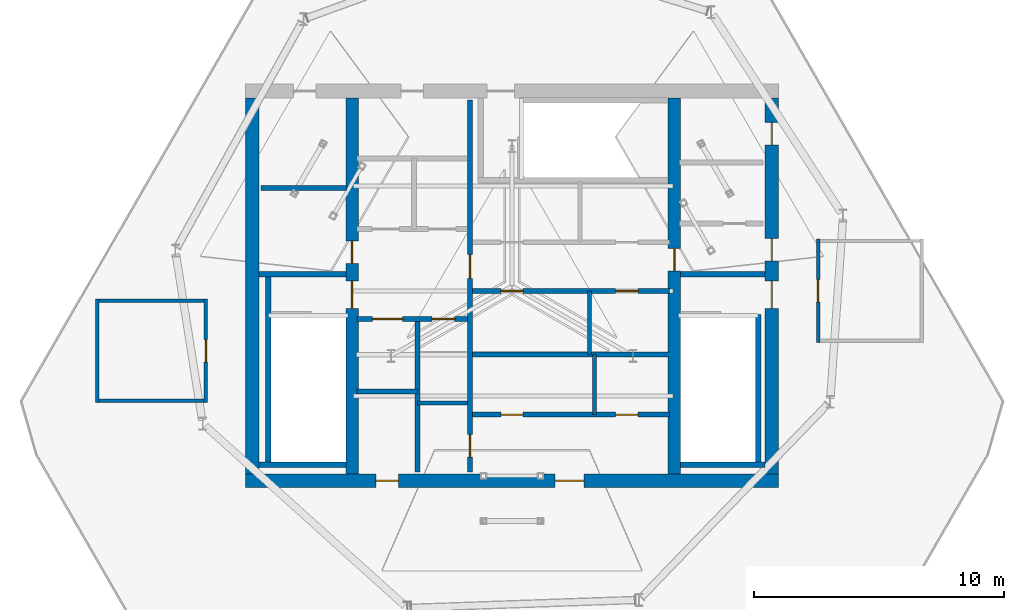
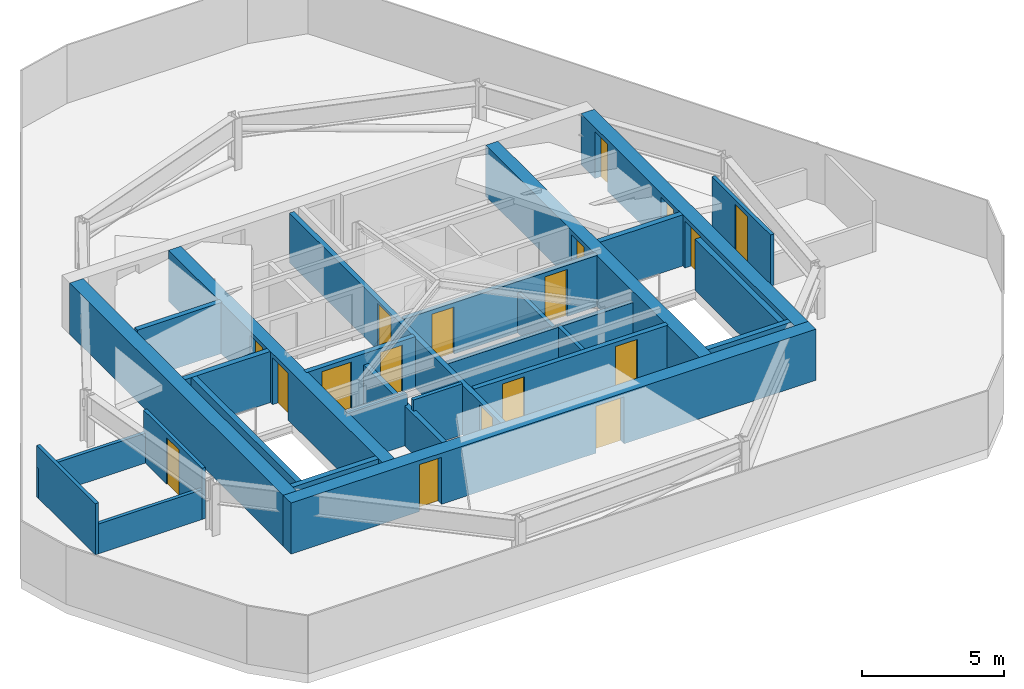
# One storey, part 7 of 9: 27 walls, 18 doors, 18 openings.
"""IFC4 building model written with IfcOpenShell, lengths in metres."""

import ifcopenshell
import ifcopenshell.guid

model = None  # the IFC model being written
_history = None  # IfcOwnerHistory: only IFC2X3 demands one
_inside = {}  # id of a spatial element -> (the spatial element, [elements in it])
_under = {}  # id of a project, library or spatial element -> (it, [spatial elements below it])
_declared = {}  # id of a project -> (the project, [libraries it declares])
_typed = {}  # id of a type object -> (the type object, [elements of that type])
_made_of = {}  # id of a material, layer set ... -> (it, [elements and type objects made of it])


def new_model(schema):
    """Start an empty IFC model of exactly this schema.

    Asked for "IFC4X3", IfcOpenShell would pick the latest addendum, in which some entities
    have other attributes; the version numbers below select the first issue.
    IFC2X3 requires an IfcOwnerHistory on every rooted entity: one is made here for all.
    """
    global model, _history
    if schema == "IFC4X3":
        model = ifcopenshell.file(schema_version=(4, 3, 0, 0))
    else:
        model = ifcopenshell.file(schema=schema)
    _inside.clear()
    _under.clear()
    _declared.clear()
    _typed.clear()
    _made_of.clear()
    _history = None
    if model.schema == "IFC2X3":
        org = make("IfcOrganization", Name="unknown")
        user = make(
            "IfcPersonAndOrganization",
            ThePerson=make("IfcPerson", FamilyName="unknown"),
            TheOrganization=org,
        )
        app = make(
            "IfcApplication",
            ApplicationDeveloper=org,
            Version="unknown",
            ApplicationFullName="unknown",
            ApplicationIdentifier="unknown",
        )
        _history = make(
            "IfcOwnerHistory",
            OwningUser=user,
            OwningApplication=app,
            ChangeAction="ADDED",
            CreationDate=0,
        )
    return model


def make(cls, **values):
    """One entity of the class cls with the attributes given. An attribute that is None is left unset."""
    return model.create_entity(
        cls, **{name: value for name, value in values.items() if value is not None}
    )


def rooted(cls, **values):
    """An entity with a GlobalId (a new one), such as an element, a storey or a relation."""
    return make(cls, GlobalId=ifcopenshell.guid.new(), OwnerHistory=_history, **values)


def si_unit(unit_type, name, prefix=None):
    """IfcSIUnit, for example si_unit("LENGTHUNIT", "METRE", prefix="MILLI")."""
    return make("IfcSIUnit", UnitType=unit_type, Prefix=prefix, Name=name)


def assignment(units):
    """IfcUnitAssignment: the units of a project."""
    return None if units is None else make("IfcUnitAssignment", Units=units)


def point(xyz):
    """IfcCartesianPoint."""
    return None if xyz is None else make("IfcCartesianPoint", Coordinates=xyz)


def direction(xyz):
    """IfcDirection."""
    return None if xyz is None else make("IfcDirection", DirectionRatios=xyz)


def frame(location, z_axis=None, x_axis=None):
    """IfcAxis2Placement3D, a coordinate frame: its origin and axes. An axis left out is left unset."""
    return make(
        "IfcAxis2Placement3D",
        Location=point(location),
        Axis=direction(z_axis),
        RefDirection=direction(x_axis),
    )


def frame_2d(location, x_axis=None):
    """IfcAxis2Placement2D, a coordinate frame in the plane: its origin and x axis."""
    return make(
        "IfcAxis2Placement2D", Location=point(location), RefDirection=direction(x_axis)
    )


def origin():
    """The frame at (0, 0, 0) with its axes left unset."""
    return frame((0.0, 0.0, 0.0))


def place(relative_to, where):
    """IfcLocalPlacement: puts the frame where relative to a parent placement (None: the world)."""
    return make(
        "IfcLocalPlacement", PlacementRelTo=relative_to, RelativePlacement=where
    )


def context(
    kind, dimensions, precision=None, world=None, true_north=None, identifier=None
):
    """IfcGeometricRepresentationContext, for example the 3D "Model" context."""
    return make(
        "IfcGeometricRepresentationContext",
        ContextIdentifier=identifier,
        ContextType=kind,
        CoordinateSpaceDimension=dimensions,
        Precision=precision,
        WorldCoordinateSystem=world,
        TrueNorth=true_north,
    )


def subcontext(parent, identifier, kind, view, scale=None):
    """IfcGeometricRepresentationSubContext, for example "Body" below "Model"."""
    return make(
        "IfcGeometricRepresentationSubContext",
        ContextIdentifier=identifier,
        ContextType=kind,
        ParentContext=parent,
        TargetScale=scale,
        TargetView=view,
    )


def project(units=None, contexts=None):
    """IfcProject with its units and contexts."""
    return rooted(
        "IfcProject",
        Name="project",
        RepresentationContexts=contexts,
        UnitsInContext=assignment(units),
    )


def spatial(cls, under=None, at=None, **own):
    """A site, building, storey or space (cls), placed at a placement, below another one or the project."""
    s = rooted(cls, ObjectPlacement=at, **own)
    if under is not None:
        _under.setdefault(under.id(), (under, []))[1].append(s)
    return s


def profile(cls, at=None, kind="AREA", **sizes):
    """A parametric profile (cls). Its sizes go by their IFC names, for example OverallWidth=200.0."""
    return make(cls, ProfileType=kind, Position=at, **sizes)


def rectangle(**sizes):
    """IfcRectangleProfileDef."""
    return profile("IfcRectangleProfileDef", **sizes)


def extrude(swept, where, along, depth):
    """IfcExtrudedAreaSolid: the profile swept, set in the frame where, extruded along a direction by depth."""
    return make(
        "IfcExtrudedAreaSolid",
        SweptArea=swept,
        Position=where,
        ExtrudedDirection=direction(along),
        Depth=depth,
    )


def shape(context_of_items, identifier, shape_type, items):
    """IfcShapeRepresentation: the items that make up one representation, for example the "Body"."""
    return make(
        "IfcShapeRepresentation",
        ContextOfItems=context_of_items,
        RepresentationIdentifier=identifier,
        RepresentationType=shape_type,
        Items=items,
    )


def material(Name=None, Category=None):
    """IfcMaterial."""
    return make("IfcMaterial", Name=Name, Category=Category)


def layer(
    of_material, thickness, ventilated=None, Name=None, Category=None, Priority=None
):
    """IfcMaterialLayer: one layer of a wall or slab, of a material (None: an air gap)."""
    return make(
        "IfcMaterialLayer",
        Material=of_material,
        LayerThickness=thickness,
        IsVentilated=ventilated,
        Name=Name,
        Category=Category,
        Priority=Priority,
    )


def layer_set(layers, Name=None):
    """IfcMaterialLayerSet."""
    return make("IfcMaterialLayerSet", MaterialLayers=layers, LayerSetName=Name)


def made_of(thing, what):
    """Note that an element or type object is made of a material, layer set ...; save() writes the relation."""
    if what is not None:
        _made_of.setdefault(what.id(), (what, []))[1].append(thing)
    return thing


def type_object(cls, material=None, **own):
    """A type object (cls), such as IfcWallType, which elements share."""
    return made_of(rooted(cls, **own), material)


def element(
    cls,
    number,
    at=None,
    inside=None,
    cuts=None,
    type_object=None,
    material=None,
    context=None,
    identifier="Body",
    shape_type=None,
    held_by="IfcProductDefinitionShape",
    body=None,
    shapes=None,
    **own,
):
    """One element of the class cls, such as IfcWall. Its Tag is "e" and its number.

    at: its placement. inside: the storey or other place that contains it. cuts: it is an
    opening in that element (IfcRelVoidsElement). A single representation is given by context,
    identifier, shape_type and body (its items); several are given by shapes. held_by: the class
    of the entity that holds the representations. save() writes the other relations.
    """
    e = rooted(cls, Tag="e%d" % number, ObjectPlacement=at, **own)
    if body is not None:
        shapes = [shape(context, identifier, shape_type, body)]
    if shapes is not None:
        e.Representation = make(held_by, Representations=shapes)
    if inside is not None:
        _inside.setdefault(inside.id(), (inside, []))[1].append(e)
    if cuts is not None:
        rooted(
            "IfcRelVoidsElement", RelatingBuildingElement=cuts, RelatedOpeningElement=e
        )
    if type_object is not None:
        _typed.setdefault(type_object.id(), (type_object, []))[1].append(e)
    return made_of(e, material)


def fill(opening, filler):
    """IfcRelFillsElement: the door or window that sits in an opening."""
    return rooted(
        "IfcRelFillsElement",
        RelatingOpeningElement=opening,
        RelatedBuildingElement=filler,
    )


def aggregate(whole, parts):
    """IfcRelAggregates: a whole, such as a stair, and the parts it consists of."""
    return rooted("IfcRelAggregates", RelatingObject=whole, RelatedObjects=parts)


def save(model, path):
    """Write the relations noted so far, then the file.

    IfcRelAggregates (storeys below a building ...), IfcRelContainedInSpatialStructure (elements
    in a storey), IfcRelDefinesByType, IfcRelAssociatesMaterial and IfcRelDeclares: one each for
    every whole, place, type object, material and project.
    """
    for whole, parts in _under.values():
        aggregate(whole, parts)
    for where, things in _inside.values():
        rooted(
            "IfcRelContainedInSpatialStructure",
            RelatedElements=things,
            RelatingStructure=where,
        )
    for kind, things in _typed.values():
        rooted("IfcRelDefinesByType", RelatedObjects=things, RelatingType=kind)
    for what, things in _made_of.values():
        rooted("IfcRelAssociatesMaterial", RelatedObjects=things, RelatingMaterial=what)
    for by, libraries in _declared.values():
        rooted("IfcRelDeclares", RelatingContext=by, RelatedDefinitions=libraries)
    model.write(path)


model = new_model("IFC4")

# Units and contexts
model_context = context("Model", 3, precision=1e-05, world=origin(), true_north=direction((0.0, 1.0)))
body_context = subcontext(model_context, "Body", "Model", "MODEL_VIEW")
ifc_project = project(units=[si_unit("LENGTHUNIT", "METRE"), si_unit("AREAUNIT", "SQUARE_METRE"), si_unit("VOLUMEUNIT", "CUBIC_METRE"), si_unit("PLANEANGLEUNIT", "RADIAN"), si_unit("MASSUNIT", "GRAM", prefix="KILO")], contexts=[model_context])

# Site, building, storey
site_placement = place(None, origin())
site = spatial("IfcSite", under=ifc_project, at=site_placement, CompositionType="ELEMENT")
building_placement = place(site_placement, origin())
building = spatial("IfcBuilding", under=site, at=building_placement, Name="Qarnah Convention Tower", CompositionType="ELEMENT")
storey_placement = place(building_placement, frame((0.0, 0.0, 292.89990234375)))
storey = spatial("IfcBuildingStorey", under=building, at=storey_placement, Name="L79", CompositionType="ELEMENT", Elevation=292.89990234375)

# Wall, openings, doors
ifc_material_1 = material(Name="Concrete C60/75", Category="concrete")
ifc_layer_1 = layer(ifc_material_1, 0.550048828125)
ifc_layer_set_1 = layer_set([ifc_layer_1], Name="Concrete C60/75")
wall_type_1 = type_object("IfcWallType", Name="WL-CORE-550", PredefinedType="SHEAR", material=ifc_layer_set_1)
wall_1_placement = place(storey_placement, frame((26.52490234375, 18.60009765625, 0.0), z_axis=(0.0, 0.0, 1.0), x_axis=(1.0, 0.0, 0.0)))
wall_1 = element("IfcWall", 1, at=wall_1_placement, inside=storey, type_object=wall_type_1, Name="L79 core south shear wall", PredefinedType="SHEAR", context=body_context, shape_type="SweptSolid", body=[
    extrude(rectangle(XDim=21.35009765625, YDim=0.550048828125, at=frame_2d((10.675048828125, 0.0))), origin(), (0.0, 0.0, 1.0), 2.2001953125),
])
opening_1_placement = place(wall_1_placement, frame((12.39990234375, 0.0, 0.0)))
opening_1 = element("IfcOpeningElement", 2, at=opening_1_placement, cuts=wall_1, Name="Opening D-7907", PredefinedType="OPENING", context=body_context, shape_type="SweptSolid", body=[
    extrude(rectangle(XDim=1.14990234375, YDim=2.02001953125, at=frame_2d((0.574951171875, 1.010009765625))), frame((0.0, 0.284912109375, 0.0), z_axis=(0.0, -1.0, 0.0), x_axis=(1.0, 0.0, 0.0)), (0.0, 0.0, 1.0), 0.570068359375),
])
opening_2_placement = place(wall_1_placement, frame((5.22509765625, 0.0, 0.0)))
opening_2 = element("IfcOpeningElement", 3, at=opening_2_placement, cuts=wall_1, Name="Opening D-7913", PredefinedType="OPENING", context=body_context, shape_type="SweptSolid", body=[
    extrude(rectangle(XDim=0.89990234375, YDim=2.02001953125, at=frame_2d((0.449951171875, 1.010009765625))), frame((0.0, 0.284912109375, 0.0), z_axis=(0.0, -1.0, 0.0), x_axis=(1.0, 0.0, 0.0)), (0.0, 0.0, 1.0), 0.570068359375),
])
ifc_material_2 = material(Name="Structural steel S355JR", Category="steel")
door_type_1 = type_object("IfcDoorType", Name="DT-LOBBY-1150", OperationType="NOTDEFINED", PredefinedType="DOOR", material=ifc_material_2)
door_1_placement = place(opening_1_placement, origin())
door_1 = element("IfcDoor", 4, at=door_1_placement, inside=storey, type_object=door_type_1, Name="Door D-7907", OperationType="SINGLE_SWING_LEFT", OverallHeight=2.02001953125, OverallWidth=1.14990234375, PredefinedType="DOOR", context=body_context, shape_type="SweptSolid", body=[
    extrude(rectangle(XDim=1.14990234375, YDim=2.02001953125, at=frame_2d((0.574951171875, 1.010009765625))), frame((0.0, 0.02490234375, 0.0), z_axis=(0.0, -1.0, 0.0), x_axis=(1.0, 0.0, 0.0)), (0.0, 0.0, 1.0), 0.050048828125),
])
fill(opening_1, door_1)
door_type_2 = type_object("IfcDoorType", Name="DT-RISER-900", OperationType="NOTDEFINED", PredefinedType="DOOR", material=ifc_material_2)
door_2_placement = place(opening_2_placement, origin())
door_2 = element("IfcDoor", 5, at=door_2_placement, inside=storey, type_object=door_type_2, Name="Door D-7913", OperationType="SINGLE_SWING_LEFT", OverallHeight=2.02001953125, OverallWidth=0.89990234375, PredefinedType="DOOR", context=body_context, shape_type="SweptSolid", body=[
    extrude(rectangle(XDim=0.89990234375, YDim=2.02001953125, at=frame_2d((0.449951171875, 1.010009765625))), frame((0.0, 0.02490234375, 0.0), z_axis=(0.0, -1.0, 0.0), x_axis=(1.0, 0.0, 0.0)), (0.0, 0.0, 1.0), 0.050048828125),
])
fill(opening_2, door_2)

# Wall
wall_2_placement = place(storey_placement, frame((26.800048828125, 18.875, 0.0), z_axis=(0.0, 0.0, 1.0), x_axis=(0.0, 1.0, 0.0)))
element("IfcWall", 6, at=wall_2_placement, inside=storey, type_object=wall_type_1, Name="L79 core west shear wall", PredefinedType="SHEAR", context=body_context, shape_type="SweptSolid", body=[
    extrude(rectangle(XDim=15.050048828125, YDim=0.550048828125, at=frame_2d((7.52490234375, 0.0))), origin(), (0.0, 0.0, 1.0), 2.2001953125),
])

# Wall, openings, doors
wall_3_placement = place(storey_placement, frame((47.60009765625, 18.875, 0.0), z_axis=(0.0, 0.0, 1.0), x_axis=(0.0, 1.0, 0.0)))
wall_3 = element("IfcWall", 7, at=wall_3_placement, inside=storey, type_object=wall_type_1, Name="L79 core east shear wall", PredefinedType="SHEAR", context=body_context, shape_type="SweptSolid", body=[
    extrude(rectangle(XDim=15.050048828125, YDim=0.550048828125, at=frame_2d((7.52490234375, 0.0))), origin(), (0.0, 0.0, 1.0), 2.2001953125),
])
opening_3_placement = place(wall_3_placement, frame((6.625, 0.0, 0.0)))
opening_3 = element("IfcOpeningElement", 8, at=opening_3_placement, cuts=wall_3, Name="Opening D-7902", PredefinedType="OPENING", context=body_context, shape_type="SweptSolid", body=[
    extrude(rectangle(XDim=1.10009765625, YDim=2.02001953125, at=frame_2d((0.550048828125, 1.010009765625))), frame((0.0, 0.284912109375, 0.0), z_axis=(0.0, -1.0, 0.0), x_axis=(1.0, 0.0, 0.0)), (0.0, 0.0, 1.0), 0.570068359375),
])
opening_4_placement = place(wall_3_placement, frame((8.52490234375, 0.0, 0.0)))
opening_4 = element("IfcOpeningElement", 9, at=opening_4_placement, cuts=wall_3, Name="Opening D-7906", PredefinedType="OPENING", context=body_context, shape_type="SweptSolid", body=[
    extrude(rectangle(XDim=0.89990234375, YDim=2.02001953125, at=frame_2d((0.449951171875, 1.010009765625))), frame((0.0, 0.284912109375, 0.0), z_axis=(0.0, -1.0, 0.0), x_axis=(1.0, 0.0, 0.0)), (0.0, 0.0, 1.0), 0.570068359375),
])
opening_5_placement = place(wall_3_placement, frame((13.175048828125, 0.0, 0.0)))
opening_5 = element("IfcOpeningElement", 10, at=opening_5_placement, cuts=wall_3, Name="Opening D-7912", PredefinedType="OPENING", context=body_context, shape_type="SweptSolid", body=[
    extrude(rectangle(XDim=0.89990234375, YDim=2.02001953125, at=frame_2d((0.449951171875, 1.010009765625))), frame((0.0, 0.284912109375, 0.0), z_axis=(0.0, -1.0, 0.0), x_axis=(1.0, 0.0, 0.0)), (0.0, 0.0, 1.0), 0.570068359375),
])
door_3_placement = place(opening_4_placement, origin())
door_3 = element("IfcDoor", 11, at=door_3_placement, inside=storey, type_object=door_type_2, Name="Door D-7906", OperationType="SINGLE_SWING_RIGHT", OverallHeight=2.02001953125, OverallWidth=0.89990234375, PredefinedType="DOOR", context=body_context, shape_type="SweptSolid", body=[
    extrude(rectangle(XDim=0.89990234375, YDim=2.02001953125, at=frame_2d((0.449951171875, 1.010009765625))), frame((0.0, 0.02490234375, 0.0), z_axis=(0.0, -1.0, 0.0), x_axis=(1.0, 0.0, 0.0)), (0.0, 0.0, 1.0), 0.050048828125),
])
fill(opening_4, door_3)
door_4_placement = place(opening_5_placement, origin())
door_4 = element("IfcDoor", 12, at=door_4_placement, inside=storey, type_object=door_type_2, Name="Door D-7912", OperationType="SINGLE_SWING_RIGHT", OverallHeight=2.02001953125, OverallWidth=0.89990234375, PredefinedType="DOOR", context=body_context, shape_type="SweptSolid", body=[
    extrude(rectangle(XDim=0.89990234375, YDim=2.02001953125, at=frame_2d((0.449951171875, 1.010009765625))), frame((0.0, 0.02490234375, 0.0), z_axis=(0.0, -1.0, 0.0), x_axis=(1.0, 0.0, 0.0)), (0.0, 0.0, 1.0), 0.050048828125),
])
fill(opening_5, door_4)
door_type_3 = type_object("IfcDoorType", Name="DT-STAIR-1100", OperationType="NOTDEFINED", PredefinedType="DOOR", material=ifc_material_2)
door_5_placement = place(opening_3_placement, origin())
door_5 = element("IfcDoor", 13, at=door_5_placement, inside=storey, type_object=door_type_3, Name="Door D-7902", OperationType="SINGLE_SWING_RIGHT", OverallHeight=2.02001953125, OverallWidth=1.10009765625, PredefinedType="DOOR", context=body_context, shape_type="SweptSolid", body=[
    extrude(rectangle(XDim=1.10009765625, YDim=2.02001953125, at=frame_2d((0.550048828125, 1.010009765625))), frame((0.0, 0.02490234375, 0.0), z_axis=(0.0, -1.0, 0.0), x_axis=(1.0, 0.0, 0.0)), (0.0, 0.0, 1.0), 0.050048828125),
])
fill(opening_3, door_5)

ifc_layer_2 = layer(ifc_material_1, 0.5)
ifc_layer_set_2 = layer_set([ifc_layer_2], Name="Concrete C60/75")
wall_type_2 = type_object("IfcWallType", Name="WL-CORE-INT-400", PredefinedType="SHEAR", material=ifc_layer_set_2)
wall_4_placement = place(storey_placement, frame((30.800048828125, 18.875, 0.0), z_axis=(0.0, 0.0, 1.0), x_axis=(0.0, 1.0, 0.0)))
wall_4 = element("IfcWall", 14, at=wall_4_placement, inside=storey, type_object=wall_type_2, Name="L79 core west spine shear wall", PredefinedType="SHEAR", context=body_context, shape_type="SweptSolid", body=[
    extrude(rectangle(XDim=15.050048828125, YDim=0.5, at=frame_2d((7.52490234375, 0.0))), origin(), (0.0, 0.0, 1.0), 2.2001953125),
])
opening_6_placement = place(wall_4_placement, frame((6.625, 0.0, 0.0)))
opening_6 = element("IfcOpeningElement", 15, at=opening_6_placement, cuts=wall_4, Name="Opening D-7901", PredefinedType="OPENING", context=body_context, shape_type="SweptSolid", body=[
    extrude(rectangle(XDim=1.10009765625, YDim=2.02001953125, at=frame_2d((0.550048828125, 1.010009765625))), frame((0.0, 0.260009765625, 0.0), z_axis=(0.0, -1.0, 0.0), x_axis=(1.0, 0.0, 0.0)), (0.0, 0.0, 1.0), 0.52001953125),
])
opening_7_placement = place(wall_4_placement, frame((8.425048828125, 0.0, 0.0)))
opening_7 = element("IfcOpeningElement", 16, at=opening_7_placement, cuts=wall_4, Name="Opening D-7908", PredefinedType="OPENING", context=body_context, shape_type="SweptSolid", body=[
    extrude(rectangle(XDim=0.89990234375, YDim=2.02001953125, at=frame_2d((0.449951171875, 1.010009765625))), frame((0.0, 0.260009765625, 0.0), z_axis=(0.0, -1.0, 0.0), x_axis=(1.0, 0.0, 0.0)), (0.0, 0.0, 1.0), 0.52001953125),
])
door_6_placement = place(opening_7_placement, origin())
door_6 = element("IfcDoor", 17, at=door_6_placement, inside=storey, type_object=door_type_2, Name="Door D-7908", OperationType="SINGLE_SWING_RIGHT", OverallHeight=2.02001953125, OverallWidth=0.89990234375, PredefinedType="DOOR", context=body_context, shape_type="SweptSolid", body=[
    extrude(rectangle(XDim=0.89990234375, YDim=2.02001953125, at=frame_2d((0.449951171875, 1.010009765625))), frame((0.0, 0.02490234375, 0.0), z_axis=(0.0, -1.0, 0.0), x_axis=(1.0, 0.0, 0.0)), (0.0, 0.0, 1.0), 0.050048828125),
])
fill(opening_7, door_6)
door_7_placement = place(opening_6_placement, origin())
door_7 = element("IfcDoor", 18, at=door_7_placement, inside=storey, type_object=door_type_3, Name="Door D-7901", OperationType="SINGLE_SWING_LEFT", OverallHeight=2.02001953125, OverallWidth=1.10009765625, PredefinedType="DOOR", context=body_context, shape_type="SweptSolid", body=[
    extrude(rectangle(XDim=1.10009765625, YDim=2.02001953125, at=frame_2d((0.550048828125, 1.010009765625))), frame((0.0, 0.02490234375, 0.0), z_axis=(0.0, -1.0, 0.0), x_axis=(1.0, 0.0, 0.0)), (0.0, 0.0, 1.0), 0.050048828125),
])
fill(opening_6, door_7)

# Wall, opening, door
wall_5_placement = place(storey_placement, frame((43.699951171875, 18.875, 0.0), z_axis=(0.0, 0.0, 1.0), x_axis=(0.0, 1.0, 0.0)))
wall_5 = element("IfcWall", 19, at=wall_5_placement, inside=storey, type_object=wall_type_2, Name="L79 core east spine shear wall", PredefinedType="SHEAR", context=body_context, shape_type="SweptSolid", body=[
    extrude(rectangle(XDim=15.050048828125, YDim=0.5, at=frame_2d((7.52490234375, 0.0))), origin(), (0.0, 0.0, 1.0), 2.2001953125),
])
opening_8_placement = place(wall_5_placement, frame((8.125, 0.0, 0.0)))
opening_8 = element("IfcOpeningElement", 20, at=opening_8_placement, cuts=wall_5, Name="Opening D-7905", PredefinedType="OPENING", context=body_context, shape_type="SweptSolid", body=[
    extrude(rectangle(XDim=0.89990234375, YDim=2.02001953125, at=frame_2d((0.449951171875, 1.010009765625))), frame((0.0, 0.260009765625, 0.0), z_axis=(0.0, -1.0, 0.0), x_axis=(1.0, 0.0, 0.0)), (0.0, 0.0, 1.0), 0.52001953125),
])
door_8_placement = place(opening_8_placement, origin())
door_8 = element("IfcDoor", 21, at=door_8_placement, inside=storey, type_object=door_type_2, Name="Door D-7905", OperationType="SINGLE_SWING_LEFT", OverallHeight=2.02001953125, OverallWidth=0.89990234375, PredefinedType="DOOR", context=body_context, shape_type="SweptSolid", body=[
    extrude(rectangle(XDim=0.89990234375, YDim=2.02001953125, at=frame_2d((0.449951171875, 1.010009765625))), frame((0.0, 0.02490234375, 0.0), z_axis=(0.0, -1.0, 0.0), x_axis=(1.0, 0.0, 0.0)), (0.0, 0.0, 1.0), 0.050048828125),
])
fill(opening_8, door_8)

# Wall
ifc_material_3 = material(Name="Concrete C45/55", Category="concrete")
ifc_layer_3 = layer(ifc_material_3, 0.199951171875)
ifc_layer_set_3 = layer_set([ifc_layer_3], Name="Concrete C45/55")
wall_type_3 = type_object("IfcWallType", Name="WL-CORE-PART-200", PredefinedType="SOLIDWALL", material=ifc_layer_set_3)
wall_6_placement = place(storey_placement, frame((27.14990234375, 30.320068359375, 0.0), z_axis=(0.0, 0.0, 1.0), x_axis=(1.0, 0.0, 0.0)))
element("IfcWall", 22, at=wall_6_placement, inside=storey, type_object=wall_type_3, Name="L79 interior wall IW-L79-ELRN", PredefinedType="SOLIDWALL", context=body_context, shape_type="SweptSolid", body=[
    extrude(rectangle(XDim=3.4501953125, YDim=0.199951171875, at=frame_2d((1.72509765625, 0.0))), origin(), (0.0, 0.0, 1.0), 2.2001953125),
])

# Wall, openings, doors
wall_7_placement = place(storey_placement, frame((35.52001953125, 18.949951171875, 0.0), z_axis=(0.0, 0.0, 1.0), x_axis=(0.0, 1.0, 0.0)))
wall_7 = element("IfcWall", 23, at=wall_7_placement, inside=storey, type_object=wall_type_3, Name="L79 interior wall IW-L79-CSP", PredefinedType="SOLIDWALL", context=body_context, shape_type="SweptSolid", body=[
    extrude(rectangle(XDim=14.900146484375, YDim=0.199951171875, at=frame_2d((7.4501953125, 0.0))), origin(), (0.0, 0.0, 1.0), 2.14013671875),
])
opening_9_placement = place(wall_7_placement, frame((7.7548828125, 0.0, 0.0)))
opening_9 = element("IfcOpeningElement", 24, at=opening_9_placement, cuts=wall_7, Name="Opening D-7904", PredefinedType="OPENING", context=body_context, shape_type="SweptSolid", body=[
    extrude(rectangle(XDim=0.949951171875, YDim=2.02001953125, at=frame_2d((0.47509765625, 1.010009765625))), frame((0.0, 0.10986328125, 0.0), z_axis=(0.0, -1.0, 0.0), x_axis=(1.0, 0.0, 0.0)), (0.0, 0.0, 1.0), 0.219970703125),
])
opening_10_placement = place(wall_7_placement, frame((0.60009765625, 0.0, 0.0)))
opening_10 = element("IfcOpeningElement", 25, at=opening_10_placement, cuts=wall_7, Name="Opening D-7914", PredefinedType="OPENING", context=body_context, shape_type="SweptSolid", body=[
    extrude(rectangle(XDim=0.89990234375, YDim=2.02001953125, at=frame_2d((0.449951171875, 1.010009765625))), frame((0.0, 0.10986328125, 0.0), z_axis=(0.0, -1.0, 0.0), x_axis=(1.0, 0.0, 0.0)), (0.0, 0.0, 1.0), 0.219970703125),
])
ifc_material_4 = material(Name="Oak timber veneer", Category="wood")
door_type_4 = type_object("IfcDoorType", Name="DT-HOTEL-950", OperationType="NOTDEFINED", PredefinedType="DOOR", material=ifc_material_4)
door_9_placement = place(opening_9_placement, origin())
door_9 = element("IfcDoor", 26, at=door_9_placement, inside=storey, type_object=door_type_4, Name="Door D-7904", OperationType="SINGLE_SWING_RIGHT", OverallHeight=2.02001953125, OverallWidth=0.949951171875, PredefinedType="DOOR", context=body_context, shape_type="SweptSolid", body=[
    extrude(rectangle(XDim=0.949951171875, YDim=2.02001953125, at=frame_2d((0.47509765625, 1.010009765625))), frame((0.0, 0.02490234375, 0.0), z_axis=(0.0, -1.0, 0.0), x_axis=(1.0, 0.0, 0.0)), (0.0, 0.0, 1.0), 0.050048828125),
])
fill(opening_9, door_9)
door_10_placement = place(opening_10_placement, origin())
door_10 = element("IfcDoor", 27, at=door_10_placement, inside=storey, type_object=door_type_2, Name="Door D-7914", OperationType="SINGLE_SWING_RIGHT", OverallHeight=2.02001953125, OverallWidth=0.89990234375, PredefinedType="DOOR", context=body_context, shape_type="SweptSolid", body=[
    extrude(rectangle(XDim=0.89990234375, YDim=2.02001953125, at=frame_2d((0.449951171875, 1.010009765625))), frame((0.0, 0.02490234375, 0.0), z_axis=(0.0, -1.0, 0.0), x_axis=(1.0, 0.0, 0.0)), (0.0, 0.0, 1.0), 0.050048828125),
])
fill(opening_10, door_10)

wall_8_placement = place(storey_placement, frame((31.0, 25.080078125, 0.0), z_axis=(0.0, 0.0, 1.0), x_axis=(1.0, 0.0, 0.0)))
wall_8 = element("IfcWall", 28, at=wall_8_placement, inside=storey, type_object=wall_type_3, Name="L79 interior wall IW-L79-FFLBS", PredefinedType="SOLIDWALL", context=body_context, shape_type="SweptSolid", body=[
    extrude(rectangle(XDim=4.419921875, YDim=0.199951171875, at=frame_2d((2.2099609375, 0.0))), origin(), (0.0, 0.0, 1.0), 2.2001953125),
])
opening_11_placement = place(wall_8_placement, frame((3.0, 0.0, 0.0)))
opening_11 = element("IfcOpeningElement", 29, at=opening_11_placement, cuts=wall_8, Name="Opening D-7915", PredefinedType="OPENING", context=body_context, shape_type="SweptSolid", body=[
    extrude(rectangle(XDim=0.89990234375, YDim=2.02001953125, at=frame_2d((0.449951171875, 1.010009765625))), frame((0.0, 0.10986328125, 0.0), z_axis=(0.0, -1.0, 0.0), x_axis=(1.0, 0.0, 0.0)), (0.0, 0.0, 1.0), 0.219970703125),
])
opening_12_placement = place(wall_8_placement, frame((0.6201171875, 0.0, 0.0)))
opening_12 = element("IfcOpeningElement", 30, at=opening_12_placement, cuts=wall_8, Name="Opening LD-7903", PredefinedType="OPENING", context=body_context, shape_type="SweptSolid", body=[
    extrude(rectangle(XDim=1.199951171875, YDim=2.02001953125, at=frame_2d((0.60009765625, 1.010009765625))), frame((0.0, 0.10986328125, 0.0), z_axis=(0.0, -1.0, 0.0), x_axis=(1.0, 0.0, 0.0)), (0.0, 0.0, 1.0), 0.219970703125),
])
door_type_5 = type_object("IfcDoorType", Name="DT-LIFT-1200", OperationType="SLIDING_TO_LEFT", PredefinedType="DOOR", material=ifc_material_2)
door_11_placement = place(opening_12_placement, origin())
door_11 = element("IfcDoor", 31, at=door_11_placement, inside=storey, type_object=door_type_5, Name="Door LD-7903", OperationType="SLIDING_TO_LEFT", OverallHeight=2.02001953125, OverallWidth=1.199951171875, PredefinedType="DOOR", context=body_context, shape_type="SweptSolid", body=[
    extrude(rectangle(XDim=1.199951171875, YDim=2.02001953125, at=frame_2d((0.60009765625, 1.010009765625))), frame((0.0, 0.02490234375, 0.0), z_axis=(0.0, -1.0, 0.0), x_axis=(1.0, 0.0, 0.0)), (0.0, 0.0, 1.0), 0.050048828125),
])
fill(opening_12, door_11)
door_12_placement = place(opening_11_placement, origin())
door_12 = element("IfcDoor", 32, at=door_12_placement, inside=storey, type_object=door_type_2, Name="Door D-7915", OperationType="SINGLE_SWING_LEFT", OverallHeight=2.02001953125, OverallWidth=0.89990234375, PredefinedType="DOOR", context=body_context, shape_type="SweptSolid", body=[
    extrude(rectangle(XDim=0.89990234375, YDim=2.02001953125, at=frame_2d((0.449951171875, 1.010009765625))), frame((0.0, 0.02490234375, 0.0), z_axis=(0.0, -1.0, 0.0), x_axis=(1.0, 0.0, 0.0)), (0.0, 0.0, 1.0), 0.050048828125),
])
fill(opening_11, door_12)

# Walls
wall_9_placement = place(storey_placement, frame((33.419921875, 18.949951171875, 0.0), z_axis=(0.0, 0.0, 1.0), x_axis=(0.0, 1.0, 0.0)))
element("IfcWall", 33, at=wall_9_placement, inside=storey, type_object=wall_type_3, Name="L79 interior wall IW-L79-SVLE", PredefinedType="SOLIDWALL", context=body_context, shape_type="SweptSolid", body=[
    extrude(rectangle(XDim=6.130126953125, YDim=0.199951171875, at=frame_2d((3.06494140625, 0.0))), origin(), (0.0, 0.0, 1.0), 1.72119140625),
])
wall_10_placement = place(storey_placement, frame((31.0, 22.179931640625, 0.0), z_axis=(0.0, 0.0, 1.0), x_axis=(1.0, 0.0, 0.0)))
element("IfcWall", 34, at=wall_10_placement, inside=storey, type_object=wall_type_3, Name="L79 interior wall IW-L79-SVLS", PredefinedType="SOLIDWALL", context=body_context, shape_type="SweptSolid", body=[
    extrude(rectangle(XDim=2.419921875, YDim=0.199951171875, at=frame_2d((1.2099609375, 0.0))), origin(), (0.0, 0.0, 1.0), 2.2001953125),
])

# Wall, openings, doors
wall_11_placement = place(storey_placement, frame((35.6201171875, 26.199951171875, 0.0), z_axis=(0.0, 0.0, 1.0), x_axis=(1.0, 0.0, 0.0)))
wall_11 = element("IfcWall", 35, at=wall_11_placement, inside=storey, type_object=wall_type_3, Name="L79 interior wall IW-L79-PMN", PredefinedType="SOLIDWALL", context=body_context, shape_type="SweptSolid", body=[
    extrude(rectangle(XDim=7.8798828125, YDim=0.199951171875, at=frame_2d((3.93994140625, 0.0))), origin(), (0.0, 0.0, 1.0), 2.2001953125),
])
opening_13_placement = place(wall_11_placement, frame((1.1298828125, 0.0, 0.0)))
opening_13 = element("IfcOpeningElement", 36, at=opening_13_placement, cuts=wall_11, Name="Opening D-7918", PredefinedType="OPENING", context=body_context, shape_type="SweptSolid", body=[
    extrude(rectangle(XDim=0.89990234375, YDim=2.02001953125, at=frame_2d((0.449951171875, 1.010009765625))), frame((0.0, 0.10986328125, 0.0), z_axis=(0.0, -1.0, 0.0), x_axis=(1.0, 0.0, 0.0)), (0.0, 0.0, 1.0), 0.219970703125),
])
opening_14_placement = place(wall_11_placement, frame((5.72998046875, 0.0, 0.0)))
opening_14 = element("IfcOpeningElement", 37, at=opening_14_placement, cuts=wall_11, Name="Opening D-7919", PredefinedType="OPENING", context=body_context, shape_type="SweptSolid", body=[
    extrude(rectangle(XDim=0.89990234375, YDim=2.02001953125, at=frame_2d((0.449951171875, 1.010009765625))), frame((0.0, 0.10986328125, 0.0), z_axis=(0.0, -1.0, 0.0), x_axis=(1.0, 0.0, 0.0)), (0.0, 0.0, 1.0), 0.219970703125),
])
door_13_placement = place(opening_13_placement, origin())
door_13 = element("IfcDoor", 38, at=door_13_placement, inside=storey, type_object=door_type_2, Name="Door D-7918", OperationType="SINGLE_SWING_RIGHT", OverallHeight=2.02001953125, OverallWidth=0.89990234375, PredefinedType="DOOR", context=body_context, shape_type="SweptSolid", body=[
    extrude(rectangle(XDim=0.89990234375, YDim=2.02001953125, at=frame_2d((0.449951171875, 1.010009765625))), frame((0.0, 0.02490234375, 0.0), z_axis=(0.0, -1.0, 0.0), x_axis=(1.0, 0.0, 0.0)), (0.0, 0.0, 1.0), 0.050048828125),
])
fill(opening_13, door_13)
door_14_placement = place(opening_14_placement, origin())
door_14 = element("IfcDoor", 39, at=door_14_placement, inside=storey, type_object=door_type_2, Name="Door D-7919", OperationType="SINGLE_SWING_LEFT", OverallHeight=2.02001953125, OverallWidth=0.89990234375, PredefinedType="DOOR", context=body_context, shape_type="SweptSolid", body=[
    extrude(rectangle(XDim=0.89990234375, YDim=2.02001953125, at=frame_2d((0.449951171875, 1.010009765625))), frame((0.0, 0.02490234375, 0.0), z_axis=(0.0, -1.0, 0.0), x_axis=(1.0, 0.0, 0.0)), (0.0, 0.0, 1.0), 0.050048828125),
])
fill(opening_14, door_14)

# Wall
wall_12_placement = place(storey_placement, frame((35.6201171875, 23.64990234375, 0.0), z_axis=(0.0, 0.0, 1.0), x_axis=(1.0, 0.0, 0.0)))
element("IfcWall", 40, at=wall_12_placement, inside=storey, type_object=wall_type_3, Name="L79 interior wall IW-L79-PMPL", PredefinedType="SOLIDWALL", context=body_context, shape_type="SweptSolid", body=[
    extrude(rectangle(XDim=7.8798828125, YDim=0.199951171875, at=frame_2d((3.93994140625, 0.0))), origin(), (0.0, 0.0, 1.0), 1.72119140625),
])

# Wall, openings, doors
wall_13_placement = place(storey_placement, frame((35.6201171875, 21.25, 0.0), z_axis=(0.0, 0.0, 1.0), x_axis=(1.0, 0.0, 0.0)))
wall_13 = element("IfcWall", 41, at=wall_13_placement, inside=storey, type_object=wall_type_3, Name="L79 interior wall IW-L79-PLS", PredefinedType="SOLIDWALL", context=body_context, shape_type="SweptSolid", body=[
    extrude(rectangle(XDim=7.8798828125, YDim=0.199951171875, at=frame_2d((3.93994140625, 0.0))), origin(), (0.0, 0.0, 1.0), 2.2001953125),
])
opening_15_placement = place(wall_13_placement, frame((1.1298828125, 0.0, 0.0)))
opening_15 = element("IfcOpeningElement", 42, at=opening_15_placement, cuts=wall_13, Name="Opening D-7916", PredefinedType="OPENING", context=body_context, shape_type="SweptSolid", body=[
    extrude(rectangle(XDim=0.89990234375, YDim=2.02001953125, at=frame_2d((0.449951171875, 1.010009765625))), frame((0.0, 0.10986328125, 0.0), z_axis=(0.0, -1.0, 0.0), x_axis=(1.0, 0.0, 0.0)), (0.0, 0.0, 1.0), 0.219970703125),
])
opening_16_placement = place(wall_13_placement, frame((5.72998046875, 0.0, 0.0)))
opening_16 = element("IfcOpeningElement", 43, at=opening_16_placement, cuts=wall_13, Name="Opening D-7917", PredefinedType="OPENING", context=body_context, shape_type="SweptSolid", body=[
    extrude(rectangle(XDim=0.89990234375, YDim=2.02001953125, at=frame_2d((0.449951171875, 1.010009765625))), frame((0.0, 0.10986328125, 0.0), z_axis=(0.0, -1.0, 0.0), x_axis=(1.0, 0.0, 0.0)), (0.0, 0.0, 1.0), 0.219970703125),
])
door_15_placement = place(opening_15_placement, origin())
door_15 = element("IfcDoor", 44, at=door_15_placement, inside=storey, type_object=door_type_2, Name="Door D-7916", OperationType="SINGLE_SWING_RIGHT", OverallHeight=2.02001953125, OverallWidth=0.89990234375, PredefinedType="DOOR", context=body_context, shape_type="SweptSolid", body=[
    extrude(rectangle(XDim=0.89990234375, YDim=2.02001953125, at=frame_2d((0.449951171875, 1.010009765625))), frame((0.0, 0.02490234375, 0.0), z_axis=(0.0, -1.0, 0.0), x_axis=(1.0, 0.0, 0.0)), (0.0, 0.0, 1.0), 0.050048828125),
])
fill(opening_15, door_15)
door_16_placement = place(opening_16_placement, origin())
door_16 = element("IfcDoor", 45, at=door_16_placement, inside=storey, type_object=door_type_2, Name="Door D-7917", OperationType="SINGLE_SWING_LEFT", OverallHeight=2.02001953125, OverallWidth=0.89990234375, PredefinedType="DOOR", context=body_context, shape_type="SweptSolid", body=[
    extrude(rectangle(XDim=0.89990234375, YDim=2.02001953125, at=frame_2d((0.449951171875, 1.010009765625))), frame((0.0, 0.02490234375, 0.0), z_axis=(0.0, -1.0, 0.0), x_axis=(1.0, 0.0, 0.0)), (0.0, 0.0, 1.0), 0.050048828125),
])
fill(opening_16, door_16)

# Walls
ifc_layer_4 = layer(ifc_material_1, 0.219970703125)
ifc_layer_set_4 = layer_set([ifc_layer_4], Name="Concrete C60/75")
wall_type_4 = type_object("IfcWallType", Name="WL-CORE-STAIR-220", PredefinedType="SHEAR", material=ifc_layer_set_4)
wall_14_placement = place(storey_placement, frame((27.074951171875, 26.860107421875, 0.0), z_axis=(0.0, 0.0, 1.0), x_axis=(1.0, 0.0, 0.0)))
element("IfcWall", 46, at=wall_14_placement, inside=storey, type_object=wall_type_4, Name="L79 stair shaft shear wall SW-L79-ST1N", PredefinedType="SHEAR", context=body_context, shape_type="SweptSolid", body=[
    extrude(rectangle(XDim=3.47509765625, YDim=0.219970703125, at=frame_2d((1.737548828125, 0.0))), origin(), (0.0, 0.0, 1.0), 2.2001953125),
])
wall_15_placement = place(storey_placement, frame((27.43994140625, 19.35009765625, 0.0), z_axis=(0.0, 0.0, 1.0), x_axis=(0.0, 1.0, 0.0)))
element("IfcWall", 47, at=wall_15_placement, inside=storey, type_object=wall_type_4, Name="L79 stair shaft shear wall SW-L79-ST1W", PredefinedType="SHEAR", context=body_context, shape_type="SweptSolid", body=[
    extrude(rectangle(XDim=7.39990234375, YDim=0.219970703125, at=frame_2d((3.699951171875, 0.0))), origin(), (0.0, 0.0, 1.0), 2.2001953125),
])
wall_16_placement = place(storey_placement, frame((27.074951171875, 19.239990234375, 0.0), z_axis=(0.0, 0.0, 1.0), x_axis=(1.0, 0.0, 0.0)))
element("IfcWall", 48, at=wall_16_placement, inside=storey, type_object=wall_type_4, Name="L79 stair shaft shear wall SW-L79-ST1S", PredefinedType="SHEAR", context=body_context, shape_type="SweptSolid", body=[
    extrude(rectangle(XDim=3.47509765625, YDim=0.219970703125, at=frame_2d((1.737548828125, 0.0))), origin(), (0.0, 0.0, 1.0), 2.2001953125),
])
wall_17_placement = place(storey_placement, frame((43.949951171875, 26.860107421875, 0.0), z_axis=(0.0, 0.0, 1.0), x_axis=(1.0, 0.0, 0.0)))
element("IfcWall", 49, at=wall_17_placement, inside=storey, type_object=wall_type_4, Name="L79 stair shaft shear wall SW-L79-ST2N", PredefinedType="SHEAR", context=body_context, shape_type="SweptSolid", body=[
    extrude(rectangle(XDim=3.375, YDim=0.219970703125, at=frame_2d((1.6875, 0.0))), origin(), (0.0, 0.0, 1.0), 2.2001953125),
])
wall_18_placement = place(storey_placement, frame((47.06005859375, 19.35009765625, 0.0), z_axis=(0.0, 0.0, 1.0), x_axis=(0.0, 1.0, 0.0)))
element("IfcWall", 50, at=wall_18_placement, inside=storey, type_object=wall_type_4, Name="L79 stair shaft shear wall SW-L79-ST2E", PredefinedType="SHEAR", context=body_context, shape_type="SweptSolid", body=[
    extrude(rectangle(XDim=5.89990234375, YDim=0.219970703125, at=frame_2d((2.949951171875, 0.0))), origin(), (0.0, 0.0, 1.0), 2.2001953125),
])
wall_19_placement = place(storey_placement, frame((43.949951171875, 19.239990234375, 0.0), z_axis=(0.0, 0.0, 1.0), x_axis=(1.0, 0.0, 0.0)))
element("IfcWall", 51, at=wall_19_placement, inside=storey, type_object=wall_type_4, Name="L79 stair shaft shear wall SW-L79-ST2S", PredefinedType="SHEAR", context=body_context, shape_type="SweptSolid", body=[
    extrude(rectangle(XDim=3.375, YDim=0.219970703125, at=frame_2d((1.6875, 0.0))), origin(), (0.0, 0.0, 1.0), 2.2001953125),
])
ifc_material_5 = material(Name="Gypsum partition board")
ifc_layer_5 = layer(ifc_material_5, 0.14990234375)
ifc_layer_set_5 = layer_set([ifc_layer_5], Name="Gypsum partition board")
wall_type_5 = type_object("IfcWallType", Name="WL-SUITE-150", PredefinedType="PARTITIONING", material=ifc_layer_set_5)
wall_20_placement = place(storey_placement, frame((33.419921875, 21.719970703125, 0.0), z_axis=(0.0, 0.0, 1.0), x_axis=(1.0, 0.0, 0.0)))
element("IfcWall", 52, at=wall_20_placement, inside=storey, type_object=wall_type_5, Name="L79 interior wall IW-L79-CSV1", PredefinedType="PARTITIONING", context=body_context, shape_type="SweptSolid", body=[
    extrude(rectangle(XDim=2.0, YDim=0.14990234375, at=frame_2d((1.0, 0.0))), origin(), (0.0, 0.0, 1.0), 2.2001953125),
])
wall_21_placement = place(storey_placement, frame((40.300048828125, 23.64990234375, 0.0), z_axis=(0.0, 0.0, 1.0), x_axis=(0.0, 1.0, 0.0)))
element("IfcWall", 53, at=wall_21_placement, inside=storey, type_object=wall_type_5, Name="L79 interior wall IW-L79-PMFD", PredefinedType="PARTITIONING", context=body_context, shape_type="SweptSolid", body=[
    extrude(rectangle(XDim=2.550048828125, YDim=0.14990234375, at=frame_2d((1.27490234375, 0.0))), origin(), (0.0, 0.0, 1.0), 1.72119140625),
])
wall_22_placement = place(storey_placement, frame((40.5, 21.25, 0.0), z_axis=(0.0, 0.0, 1.0), x_axis=(0.0, 1.0, 0.0)))
element("IfcWall", 54, at=wall_22_placement, inside=storey, type_object=wall_type_5, Name="L79 interior wall IW-L79-PLFD", PredefinedType="PARTITIONING", context=body_context, shape_type="SweptSolid", body=[
    extrude(rectangle(XDim=2.39990234375, YDim=0.14990234375, at=frame_2d((1.199951171875, 0.0))), origin(), (0.0, 0.0, 1.0), 1.72119140625),
])
ifc_layer_6 = layer(ifc_material_5, 0.139892578125)
ifc_layer_set_6 = layer_set([ifc_layer_6], Name="Gypsum partition board")
wall_type_6 = type_object("IfcWallType", Name="WL-WET-140", PredefinedType="PARTITIONING", material=ifc_layer_set_6)
wall_23_placement = place(storey_placement, frame((20.530029296875, 21.800048828125, 0.0), z_axis=(0.0, 0.0, 1.0), x_axis=(1.0, 0.0, 0.0)))
element("IfcWall", 55, at=wall_23_placement, inside=storey, type_object=wall_type_6, Name="L79 interior wall IW-L79-DMPR-1", PredefinedType="PARTITIONING", context=body_context, shape_type="SweptSolid", body=[
    extrude(rectangle(XDim=4.489990234375, YDim=0.139892578125, at=frame_2d((2.2451171875, 0.0))), origin(), (0.0, 0.0, 1.0), 1.28515625),
])

# Wall, opening, door
wall_24_placement = place(storey_placement, frame((24.949951171875, 21.72998046875, 0.0), z_axis=(0.0, 0.0, 1.0), x_axis=(0.0, 1.0, 0.0)))
wall_24 = element("IfcWall", 56, at=wall_24_placement, inside=storey, type_object=wall_type_6, Name="L79 interior wall IW-L79-DMPR-2", PredefinedType="PARTITIONING", context=body_context, shape_type="SweptSolid", body=[
    extrude(rectangle(XDim=4.14013671875, YDim=0.139892578125, at=frame_2d((2.070068359375, 0.0))), origin(), (0.0, 0.0, 1.0), 2.2001953125),
])
opening_17_placement = place(wall_24_placement, frame((1.6201171875, 0.0, 0.0)))
opening_17 = element("IfcOpeningElement", 57, at=opening_17_placement, cuts=wall_24, Name="Opening D-7922", PredefinedType="OPENING", context=body_context, shape_type="SweptSolid", body=[
    extrude(rectangle(XDim=0.89990234375, YDim=2.0, at=frame_2d((0.449951171875, 1.0))), frame((0.0, 0.079833984375, 0.0), z_axis=(0.0, -1.0, 0.0), x_axis=(1.0, 0.0, 0.0)), (0.0, 0.0, 1.0), 0.159912109375),
])
door_type_6 = type_object("IfcDoorType", Name="DT-PLANT-900", OperationType="NOTDEFINED", PredefinedType="DOOR", material=ifc_material_2)
door_17_placement = place(opening_17_placement, origin())
door_17 = element("IfcDoor", 58, at=door_17_placement, inside=storey, type_object=door_type_6, Name="Door D-7922", OperationType="SINGLE_SWING_RIGHT", OverallHeight=2.0, OverallWidth=0.89990234375, PredefinedType="DOOR", context=body_context, shape_type="SweptSolid", body=[
    extrude(rectangle(XDim=0.89990234375, YDim=2.0, at=frame_2d((0.449951171875, 1.0))), frame((0.0, 0.02490234375, 0.0), z_axis=(0.0, -1.0, 0.0), x_axis=(1.0, 0.0, 0.0)), (0.0, 0.0, 1.0), 0.050048828125),
])
fill(opening_17, door_17)

# Walls
wall_25_placement = place(storey_placement, frame((25.02001953125, 25.800048828125, 0.0), z_axis=(0.0, 0.0, 1.0), x_axis=(-1.0, 0.0, 0.0)))
element("IfcWall", 59, at=wall_25_placement, inside=storey, type_object=wall_type_6, Name="L79 interior wall IW-L79-DMPR-3", PredefinedType="PARTITIONING", context=body_context, shape_type="SweptSolid", body=[
    extrude(rectangle(XDim=4.489990234375, YDim=0.139892578125, at=frame_2d((2.2451171875, 0.0))), origin(), (0.0, 0.0, 1.0), 1.28515625),
])
wall_26_placement = place(storey_placement, frame((20.60009765625, 25.8701171875, 0.0), z_axis=(0.0, 0.0, 1.0), x_axis=(0.0, -1.0, 0.0)))
element("IfcWall", 60, at=wall_26_placement, inside=storey, type_object=wall_type_6, Name="L79 interior wall IW-L79-DMPR-4", PredefinedType="PARTITIONING", context=body_context, shape_type="SweptSolid", body=[
    extrude(rectangle(XDim=4.14013671875, YDim=0.139892578125, at=frame_2d((2.070068359375, 0.0))), origin(), (0.0, 0.0, 1.0), 2.2001953125),
])

# Wall, opening, door
wall_27_placement = place(storey_placement, frame((49.449951171875, 28.27001953125, 0.0), z_axis=(0.0, 0.0, 1.0), x_axis=(0.0, -1.0, 0.0)))
wall_27 = element("IfcWall", 61, at=wall_27_placement, inside=storey, type_object=wall_type_6, Name="L79 interior wall IW-L79-SWGP-4", PredefinedType="PARTITIONING", context=body_context, shape_type="SweptSolid", body=[
    extrude(rectangle(XDim=4.14013671875, YDim=0.139892578125, at=frame_2d((2.070068359375, 0.0))), origin(), (0.0, 0.0, 1.0), 2.2001953125),
])
opening_18_placement = place(wall_27_placement, frame((1.6201171875, 0.0, 0.0)))
opening_18 = element("IfcOpeningElement", 62, at=opening_18_placement, cuts=wall_27, Name="Opening D-7923", PredefinedType="OPENING", context=body_context, shape_type="SweptSolid", body=[
    extrude(rectangle(XDim=0.89990234375, YDim=2.0, at=frame_2d((0.449951171875, 1.0))), frame((0.0, 0.079833984375, 0.0), z_axis=(0.0, -1.0, 0.0), x_axis=(1.0, 0.0, 0.0)), (0.0, 0.0, 1.0), 0.159912109375),
])
door_18_placement = place(opening_18_placement, origin())
door_18 = element("IfcDoor", 63, at=door_18_placement, inside=storey, type_object=door_type_6, Name="Door D-7923", OperationType="SINGLE_SWING_LEFT", OverallHeight=2.0, OverallWidth=0.89990234375, PredefinedType="DOOR", context=body_context, shape_type="SweptSolid", body=[
    extrude(rectangle(XDim=0.89990234375, YDim=2.0, at=frame_2d((0.449951171875, 1.0))), frame((0.0, 0.02490234375, 0.0), z_axis=(0.0, -1.0, 0.0), x_axis=(1.0, 0.0, 0.0)), (0.0, 0.0, 1.0), 0.050048828125),
])
fill(opening_18, door_18)

save(model, "model.ifc")
